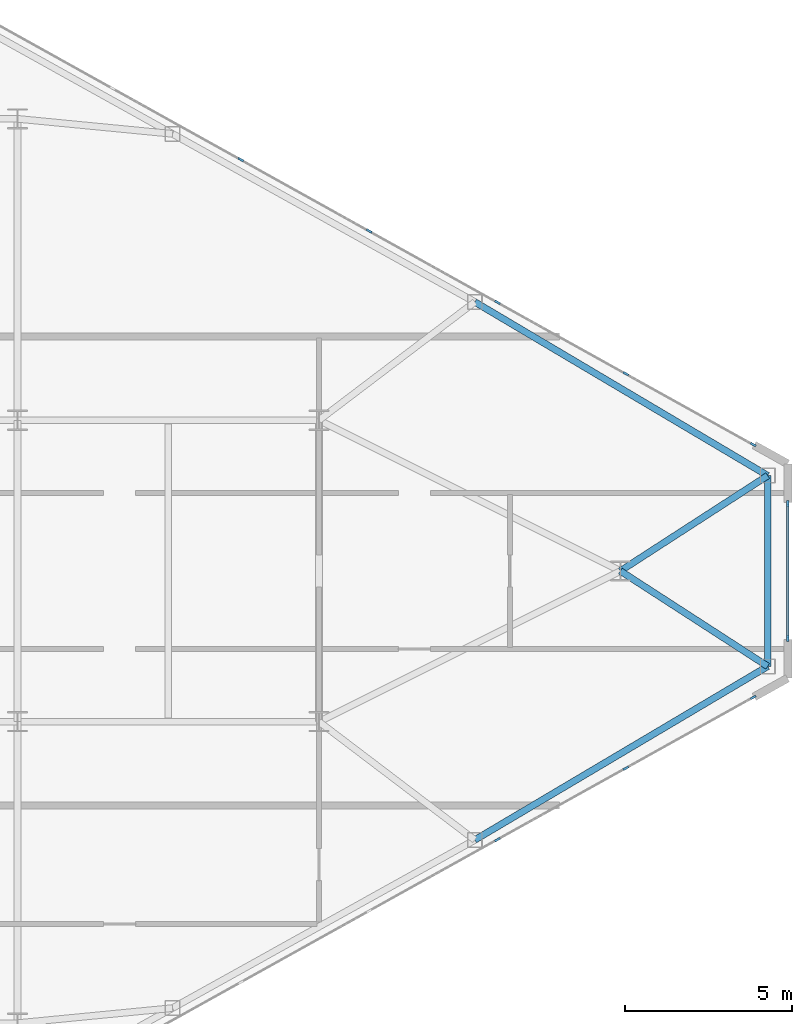
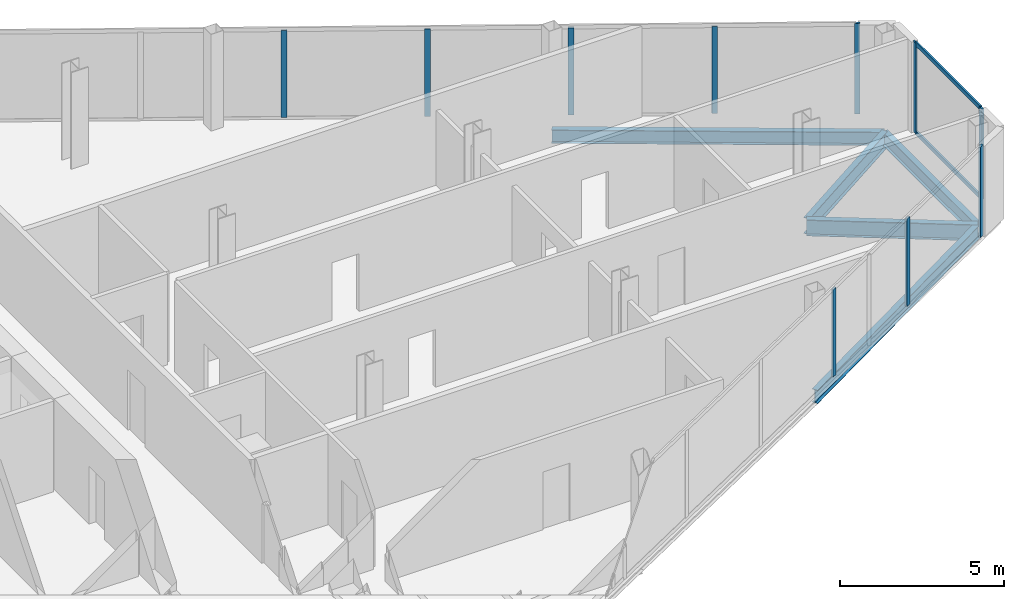
# One storey, part 17 of 26: 12 members, 5 beams, 3 elements without a shape of their own.
"""IFC4 building model written with IfcOpenShell, lengths in metres."""

from ifc_helpers import new_model, si_unit, direction, frame, origin, origin_2d, place, context, subcontext, project, spatial, rectangle, i_section, extrude, source, transform, mapped, material, layer, layer_set, material_profile, profile_set, type_object, type_shapes, element, aggregate, save


model = new_model("IFC4")

# Units and contexts
model_context = context("Model", 3, precision=1e-05, world=origin(), true_north=direction((0.0, 1.0)))
body_context = subcontext(model_context, "Body", "Model", "MODEL_VIEW")
ifc_project = project(units=[si_unit("LENGTHUNIT", "METRE"), si_unit("AREAUNIT", "SQUARE_METRE"), si_unit("VOLUMEUNIT", "CUBIC_METRE"), si_unit("PLANEANGLEUNIT", "RADIAN"), si_unit("MASSUNIT", "GRAM", prefix="KILO")], contexts=[model_context])

# Site, building, storey
site_placement = place(None, origin())
site = spatial("IfcSite", under=ifc_project, at=site_placement, CompositionType="ELEMENT")
building_placement = place(site_placement, origin())
building = spatial("IfcBuilding", under=site, at=building_placement, Name="Seokmaru Belvedere", CompositionType="ELEMENT")
storey_placement = place(building_placement, frame((0.0, 0.0, 170.699951171875)))
storey = spatial("IfcBuildingStorey", under=building, at=storey_placement, Name="L45", CompositionType="ELEMENT", Elevation=170.699951171875)

# Beams
ifc_material_1 = material(Name="Steel SM355 (355 MPa)", Category="steel")
ifc_material_profile_1 = material_profile(ifc_material_1, i_section(OverallWidth=0.199951171875, OverallDepth=0.5, WebThickness=0.010009765625, FlangeThickness=0.01611328125, at=origin_2d()), Name="H-500x200x10x16")
ifc_profile_set_1 = profile_set([ifc_material_profile_1], Name="Steel SM355 (355 MPa)")
beam_type_1 = type_object("IfcBeamType", Name="Perimeter Spandrel Beam H-500", PredefinedType="SPANDREL", material=ifc_profile_set_1)
shared_shape_1 = source(origin(), body_context, "Body", "SweptSolid", [
    extrude(i_section(OverallWidth=0.199951171875, OverallDepth=0.5, WebThickness=0.010009765625, FlangeThickness=0.01611328125, at=origin_2d()), origin(), (0.0, 0.0, 1.0), 10.16650390625),
])
for number, where, z_axis, x_axis, name in (
    (1, (59.154541015625, -8.031494140625, -0.469970703125), (0.860209996506, 0.509939959124, 0.0), (-0.509939959124, 0.860209996506, 0.0), "L45 E Faceted Flank Spandrel S-4"),
    (2, (59.154541015625, 8.031494140625, -0.469970703125), (0.860209996506, -0.509939959124, 0.0), (0.509939959124, 0.860209996506, 0.0), "L45 E Faceted Flank Spandrel N-4"),
):
    element("IfcBeam", number, at=place(storey_placement, frame(where, z_axis=z_axis, x_axis=x_axis)), inside=storey, type_object=beam_type_1, Name=name, PredefinedType="SPANDREL", context=body_context, shape_type="MappedRepresentation", body=[
        mapped(shared_shape_1, transform((0.0, 0.0, 0.0), scale=1.0)),
    ])
shared_shape_2 = source(origin(), body_context, "Body", "SweptSolid", [
    extrude(i_section(OverallWidth=0.199951171875, OverallDepth=0.5, WebThickness=0.010009765625, FlangeThickness=0.01611328125, at=origin_2d()), origin(), (0.0, 0.0, 1.0), 5.6943359375),
])
type_shapes(beam_type_1, [shared_shape_1, shared_shape_2])
beam_placement = place(storey_placement, frame((67.89990234375, -2.84716796875, -0.469970703125), z_axis=(0.0, 1.0, 0.0), x_axis=(-1.0, 0.0, 0.0)))
element("IfcBeam", 3, at=beam_placement, inside=storey, type_object=beam_type_1, Name="L45 E Faceted Apex Spandrel", PredefinedType="SPANDREL", context=body_context, shape_type="MappedRepresentation", body=[
    mapped(shared_shape_2, transform((0.0, 0.0, 0.0), scale=1.0)),
])
ifc_material_profile_2 = material_profile(ifc_material_1, i_section(OverallWidth=0.199951171875, OverallDepth=0.60009765625, WebThickness=0.010986328125, FlangeThickness=0.01708984375, at=origin_2d()), Name="H-600x200x11x17")
ifc_profile_set_2 = profile_set([ifc_material_profile_2], Name="Steel SM355 (355 MPa)")
beam_type_2 = type_object("IfcBeamType", Name="Primary Floor Girder H-600", PredefinedType="BEAM", material=ifc_profile_set_2)
shared_shape_3 = source(origin(), body_context, "Body", "SweptSolid", [
    extrude(i_section(OverallWidth=0.199951171875, OverallDepth=0.60009765625, WebThickness=0.010986328125, FlangeThickness=0.01708984375, at=origin_2d()), origin(), (0.0, 0.0, 1.0), 5.24072265625),
])
type_shapes(beam_type_2, [shared_shape_3])
for number, where, z_axis, x_axis, name in (
    (4, (67.89990234375, -2.84716796875, -0.52001953125), (-0.839555158729, 0.543274456836, 0.0), (-0.543274456836, -0.839555158729, 0.0), "L45 E Apex Radial Floor Girder 1"),
    (5, (67.89990234375, 2.84716796875, -0.52001953125), (-0.839555158729, -0.543274456836, 0.0), (0.543274456836, -0.839555158729, 0.0), "L45 E Apex Radial Floor Girder 2"),
):
    element("IfcBeam", number, at=place(storey_placement, frame(where, z_axis=z_axis, x_axis=x_axis)), inside=storey, type_object=beam_type_2, Name=name, PredefinedType="BEAM", context=body_context, shape_type="MappedRepresentation", body=[
        mapped(shared_shape_3, transform((0.0, 0.0, 0.0), scale=1.0)),
    ])

# Curtain wall, members
ifc_material_2 = material(Name="Bronze Triple Insulating Glass", Category="glass")
ifc_layer = layer(ifc_material_2, 0.179931640625)
ifc_layer_set = layer_set([ifc_layer], Name="Bronze Triple Insulating Glass")
curtain_wall_type = type_object("IfcCurtainWallType", Name="High-Rise Wind-Corner Curtain Wall System CW-5", PredefinedType="NOTDEFINED", material=ifc_layer_set)
curtain_wall_1_placement = place(storey_placement, origin())
curtain_wall_1 = element("IfcCurtainWall", 6, at=curtain_wall_1_placement, inside=storey, type_object=curtain_wall_type, Name="L45 Curtain Wall EF2", PredefinedType="NOTDEFINED")
ifc_material_3 = material(Name="Anodised Bronze Aluminium", Category="aluminium")
ifc_material_profile_3 = material_profile(ifc_material_3, rectangle(XDim=0.06494140625, YDim=0.14990234375, at=origin_2d()), Name="CW-T-65x150")
ifc_profile_set_3 = profile_set([ifc_material_profile_3], Name="Anodised Bronze Aluminium")
member_type_1 = type_object("IfcMemberType", Name="Bronze Unitised Transom 65x150", PredefinedType="USERDEFINED", material=ifc_profile_set_3)
shared_shape_4 = source(origin(), body_context, "Body", "SweptSolid", [
    extrude(rectangle(XDim=0.06494140625, YDim=0.14990234375, at=origin_2d()), origin(), (0.0, 0.0, 1.0), 3.97021484375),
])
type_shapes(member_type_1, [shared_shape_4])
member_1_placement = place(storey_placement, frame((68.5, -1.985107421875, 0.032470703125), z_axis=(0.0, 1.0, 0.0), x_axis=(-1.0, 0.0, 0.0)))
member_1 = element("IfcMember", 7, at=member_1_placement, type_object=member_type_1, Name="CW:L45:EF2 Continuous Transom 1", ObjectType="TRANSOM", PredefinedType="USERDEFINED", context=body_context, shape_type="MappedRepresentation", body=[
    mapped(shared_shape_4, transform((0.0, 0.0, 0.0), scale=1.0)),
])
member_2_placement = place(storey_placement, frame((68.5, -1.985107421875, 3.34765625), z_axis=(0.0, 1.0, 0.0), x_axis=(-1.0, 0.0, 0.0)))
member_2 = element("IfcMember", 8, at=member_2_placement, type_object=member_type_1, Name="CW:L45:EF2 Continuous Transom 2", ObjectType="TRANSOM", PredefinedType="USERDEFINED", context=body_context, shape_type="MappedRepresentation", body=[
    mapped(shared_shape_4, transform((0.0, 0.0, 0.0), scale=1.0)),
])

curtain_wall_2_placement = place(storey_placement, origin())
curtain_wall_2 = element("IfcCurtainWall", 9, at=curtain_wall_2_placement, inside=storey, type_object=curtain_wall_type, Name="L45 Curtain Wall EF1", PredefinedType="NOTDEFINED")
ifc_material_profile_4 = material_profile(ifc_material_3, rectangle(XDim=0.06494140625, YDim=0.179931640625, at=origin_2d()), Name="CW-M-65x180")
ifc_profile_set_4 = profile_set([ifc_material_profile_4], Name="Anodised Bronze Aluminium")
member_type_2 = type_object("IfcMemberType", Name="Bronze Unitised Mullion 65x180", PredefinedType="MULLION", material=ifc_profile_set_4)
shared_shape_5 = source(origin(), body_context, "Body", "SweptSolid", [
    extrude(rectangle(XDim=0.06494140625, YDim=0.179931640625, at=origin_2d()), origin(), (0.0, 0.0, 1.0), 3.25),
])
member_3_placement = place(storey_placement, frame((59.83056640625, -8.021728515625, 0.06494140625), z_axis=(0.0, 0.0, 1.0), x_axis=(-0.486047125147, 0.873932601598, 0.0)))
member_3 = element("IfcMember", 10, at=member_3_placement, type_object=member_type_2, Name="CW:L45:EF1 Mullion 8", PredefinedType="MULLION", context=body_context, shape_type="MappedRepresentation", body=[
    mapped(shared_shape_5, transform((0.0, 0.0, 0.0), scale=1.0)),
])
member_4_placement = place(storey_placement, frame((63.662841796875, -5.890380859375, 0.06494140625), z_axis=(0.0, 0.0, 1.0), x_axis=(-0.486047125147, 0.873932601598, 0.0)))
member_4 = element("IfcMember", 11, at=member_4_placement, type_object=member_type_2, Name="CW:L45:EF1 Mullion 9", PredefinedType="MULLION", context=body_context, shape_type="MappedRepresentation", body=[
    mapped(shared_shape_5, transform((0.0, 0.0, 0.0), scale=1.0)),
])

curtain_wall_3_placement = place(storey_placement, origin())
curtain_wall_3 = element("IfcCurtainWall", 12, at=curtain_wall_3_placement, inside=storey, type_object=curtain_wall_type, Name="L45 Curtain Wall EF3", PredefinedType="NOTDEFINED")
member_5_placement = place(storey_placement, frame((63.662841796875, 5.890380859375, 0.06494140625), z_axis=(0.0, 0.0, 1.0), x_axis=(-0.486047125147, -0.873932601598, 0.0)))
member_5 = element("IfcMember", 13, at=member_5_placement, type_object=member_type_2, Name="CW:L45:EF3 Mullion 2", PredefinedType="MULLION", context=body_context, shape_type="MappedRepresentation", body=[
    mapped(shared_shape_5, transform((0.0, 0.0, 0.0), scale=1.0)),
])
member_6_placement = place(storey_placement, frame((59.83056640625, 8.021728515625, 0.06494140625), z_axis=(0.0, 0.0, 1.0), x_axis=(-0.486047125147, -0.873932601598, 0.0)))
member_6 = element("IfcMember", 14, at=member_6_placement, type_object=member_type_2, Name="CW:L45:EF3 Mullion 3", PredefinedType="MULLION", context=body_context, shape_type="MappedRepresentation", body=[
    mapped(shared_shape_5, transform((0.0, 0.0, 0.0), scale=1.0)),
])
member_7_placement = place(storey_placement, frame((55.998291015625, 10.153076171875, 0.06494140625), z_axis=(0.0, 0.0, 1.0), x_axis=(-0.486047125147, -0.873932601598, 0.0)))
member_7 = element("IfcMember", 15, at=member_7_placement, type_object=member_type_2, Name="CW:L45:EF3 Mullion 4", PredefinedType="MULLION", context=body_context, shape_type="MappedRepresentation", body=[
    mapped(shared_shape_5, transform((0.0, 0.0, 0.0), scale=1.0)),
])
member_8_placement = place(storey_placement, frame((52.166015625, 12.2841796875, 0.06494140625), z_axis=(0.0, 0.0, 1.0), x_axis=(-0.486047125147, -0.873932601598, 0.0)))
member_8 = element("IfcMember", 16, at=member_8_placement, type_object=member_type_2, Name="CW:L45:EF3 Mullion 5", PredefinedType="MULLION", context=body_context, shape_type="MappedRepresentation", body=[
    mapped(shared_shape_5, transform((0.0, 0.0, 0.0), scale=1.0)),
])

# Member
shared_shape_6 = source(origin(), body_context, "Body", "SweptSolid", [
    extrude(rectangle(XDim=0.06494140625, YDim=0.179931640625, at=origin_2d()), origin(), (0.0, 0.0, 1.0), 3.380126953125),
])
type_shapes(member_type_2, [shared_shape_5, shared_shape_6])
member_9_placement = place(storey_placement, frame((67.466552734375, -3.77490234375, 0.0), z_axis=(0.0, 0.0, 1.0), x_axis=(-0.486047125147, 0.873932601598, 0.0)))
member_9 = element("IfcMember", 17, at=member_9_placement, type_object=member_type_2, Name="CW:L45:EF1 Mullion 10", PredefinedType="MULLION", context=body_context, shape_type="MappedRepresentation", body=[
    mapped(shared_shape_6, transform((0.0, 0.0, 0.0), scale=1.0)),
])

aggregate(curtain_wall_2, [member_3, member_4, member_9])

member_10_placement = place(storey_placement, frame((68.5, -2.017578125, 0.0), z_axis=(0.0, 0.0, 1.0), x_axis=(-1.0, 0.0, 0.0)))
member_10 = element("IfcMember", 18, at=member_10_placement, type_object=member_type_2, Name="CW:L45:EF2 Mullion 1", PredefinedType="MULLION", context=body_context, shape_type="MappedRepresentation", body=[
    mapped(shared_shape_6, transform((0.0, 0.0, 0.0), scale=1.0)),
])

member_11_placement = place(storey_placement, frame((68.5, 2.017578125, 0.0), z_axis=(0.0, 0.0, 1.0), x_axis=(-1.0, 0.0, 0.0)))
member_11 = element("IfcMember", 19, at=member_11_placement, type_object=member_type_2, Name="CW:L45:EF2 Mullion 2", PredefinedType="MULLION", context=body_context, shape_type="MappedRepresentation", body=[
    mapped(shared_shape_6, transform((0.0, 0.0, 0.0), scale=1.0)),
])

aggregate(curtain_wall_1, [member_10, member_11, member_1, member_2])

member_12_placement = place(storey_placement, frame((67.466552734375, 3.77490234375, 0.0), z_axis=(0.0, 0.0, 1.0), x_axis=(-0.486047125147, -0.873932601598, 0.0)))
member_12 = element("IfcMember", 20, at=member_12_placement, type_object=member_type_2, Name="CW:L45:EF3 Mullion 1", PredefinedType="MULLION", context=body_context, shape_type="MappedRepresentation", body=[
    mapped(shared_shape_6, transform((0.0, 0.0, 0.0), scale=1.0)),
])

aggregate(curtain_wall_3, [member_12, member_5, member_6, member_7, member_8])

save(model, "model.ifc")
